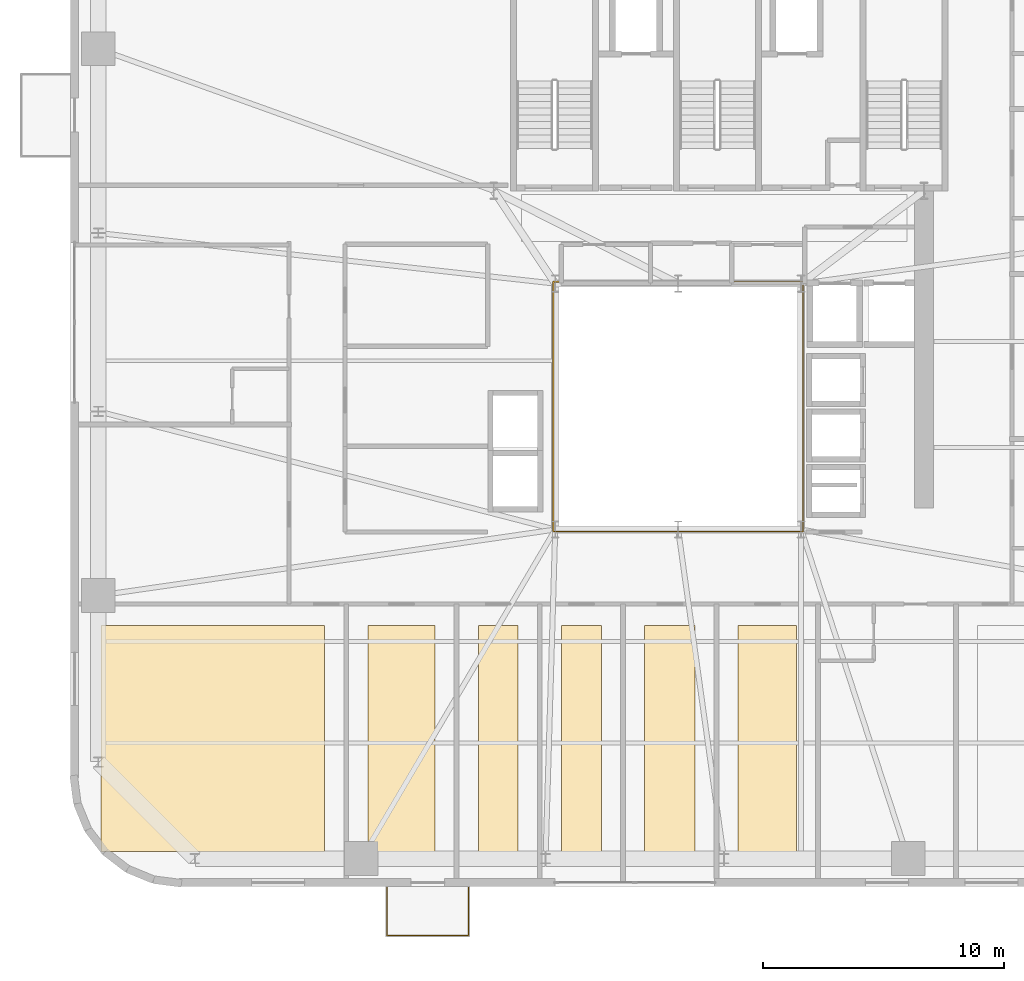
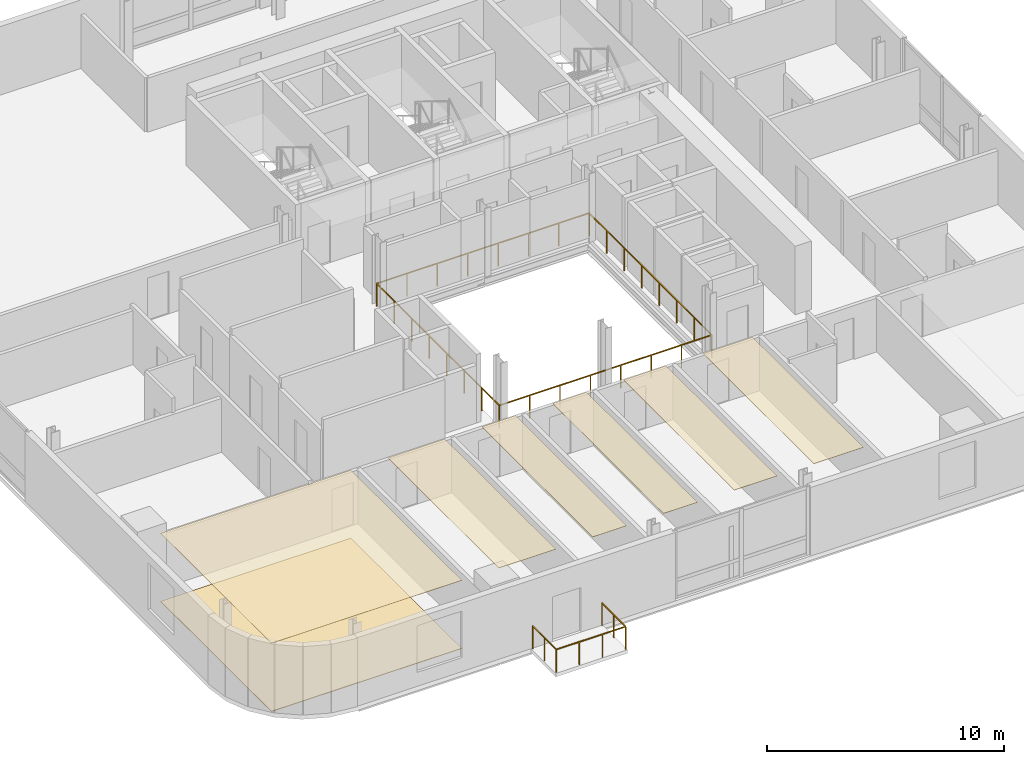
# One storey, part 12 of 16: 7 coverings, 2 railings.
"""IFC4 building model written with IfcOpenShell, lengths in metres."""

import ifcopenshell
import ifcopenshell.guid

model = None  # the IFC model being written
_history = None  # IfcOwnerHistory: only IFC2X3 demands one
_inside = {}  # id of a spatial element -> (the spatial element, [elements in it])
_under = {}  # id of a project, library or spatial element -> (it, [spatial elements below it])
_declared = {}  # id of a project -> (the project, [libraries it declares])
_typed = {}  # id of a type object -> (the type object, [elements of that type])
_made_of = {}  # id of a material, layer set ... -> (it, [elements and type objects made of it])


def new_model(schema):
    """Start an empty IFC model of exactly this schema.

    Asked for "IFC4X3", IfcOpenShell would pick the latest addendum, in which some entities
    have other attributes; the version numbers below select the first issue.
    IFC2X3 requires an IfcOwnerHistory on every rooted entity: one is made here for all.
    """
    global model, _history
    if schema == "IFC4X3":
        model = ifcopenshell.file(schema_version=(4, 3, 0, 0))
    else:
        model = ifcopenshell.file(schema=schema)
    _inside.clear()
    _under.clear()
    _declared.clear()
    _typed.clear()
    _made_of.clear()
    _history = None
    if model.schema == "IFC2X3":
        org = make("IfcOrganization", Name="unknown")
        user = make(
            "IfcPersonAndOrganization",
            ThePerson=make("IfcPerson", FamilyName="unknown"),
            TheOrganization=org,
        )
        app = make(
            "IfcApplication",
            ApplicationDeveloper=org,
            Version="unknown",
            ApplicationFullName="unknown",
            ApplicationIdentifier="unknown",
        )
        _history = make(
            "IfcOwnerHistory",
            OwningUser=user,
            OwningApplication=app,
            ChangeAction="ADDED",
            CreationDate=0,
        )
    return model


def make(cls, **values):
    """One entity of the class cls with the attributes given. An attribute that is None is left unset."""
    return model.create_entity(
        cls, **{name: value for name, value in values.items() if value is not None}
    )


def rooted(cls, **values):
    """An entity with a GlobalId (a new one), such as an element, a storey or a relation."""
    return make(cls, GlobalId=ifcopenshell.guid.new(), OwnerHistory=_history, **values)


def si_unit(unit_type, name, prefix=None):
    """IfcSIUnit, for example si_unit("LENGTHUNIT", "METRE", prefix="MILLI")."""
    return make("IfcSIUnit", UnitType=unit_type, Prefix=prefix, Name=name)


def assignment(units):
    """IfcUnitAssignment: the units of a project."""
    return None if units is None else make("IfcUnitAssignment", Units=units)


def point(xyz):
    """IfcCartesianPoint."""
    return None if xyz is None else make("IfcCartesianPoint", Coordinates=xyz)


def direction(xyz):
    """IfcDirection."""
    return None if xyz is None else make("IfcDirection", DirectionRatios=xyz)


def frame(location, z_axis=None, x_axis=None):
    """IfcAxis2Placement3D, a coordinate frame: its origin and axes. An axis left out is left unset."""
    return make(
        "IfcAxis2Placement3D",
        Location=point(location),
        Axis=direction(z_axis),
        RefDirection=direction(x_axis),
    )


def frame_2d(location, x_axis=None):
    """IfcAxis2Placement2D, a coordinate frame in the plane: its origin and x axis."""
    return make(
        "IfcAxis2Placement2D", Location=point(location), RefDirection=direction(x_axis)
    )


def origin():
    """The frame at (0, 0, 0) with its axes left unset."""
    return frame((0.0, 0.0, 0.0))


def origin_2d():
    """The frame at (0, 0) in the plane with its x axis left unset."""
    return frame_2d((0.0, 0.0))


def place(relative_to, where):
    """IfcLocalPlacement: puts the frame where relative to a parent placement (None: the world)."""
    return make(
        "IfcLocalPlacement", PlacementRelTo=relative_to, RelativePlacement=where
    )


def context(
    kind, dimensions, precision=None, world=None, true_north=None, identifier=None
):
    """IfcGeometricRepresentationContext, for example the 3D "Model" context."""
    return make(
        "IfcGeometricRepresentationContext",
        ContextIdentifier=identifier,
        ContextType=kind,
        CoordinateSpaceDimension=dimensions,
        Precision=precision,
        WorldCoordinateSystem=world,
        TrueNorth=true_north,
    )


def subcontext(parent, identifier, kind, view, scale=None):
    """IfcGeometricRepresentationSubContext, for example "Body" below "Model"."""
    return make(
        "IfcGeometricRepresentationSubContext",
        ContextIdentifier=identifier,
        ContextType=kind,
        ParentContext=parent,
        TargetScale=scale,
        TargetView=view,
    )


def project(units=None, contexts=None):
    """IfcProject with its units and contexts."""
    return rooted(
        "IfcProject",
        Name="project",
        RepresentationContexts=contexts,
        UnitsInContext=assignment(units),
    )


def spatial(cls, under=None, at=None, **own):
    """A site, building, storey or space (cls), placed at a placement, below another one or the project."""
    s = rooted(cls, ObjectPlacement=at, **own)
    if under is not None:
        _under.setdefault(under.id(), (under, []))[1].append(s)
    return s


def polyline(points):
    """IfcPolyline through the points."""
    return make("IfcPolyline", Points=[point(p) for p in points])


def profile(cls, at=None, kind="AREA", **sizes):
    """A parametric profile (cls). Its sizes go by their IFC names, for example OverallWidth=200.0."""
    return make(cls, ProfileType=kind, Position=at, **sizes)


def rectangle(**sizes):
    """IfcRectangleProfileDef."""
    return profile("IfcRectangleProfileDef", **sizes)


def outline(outer, holes=None, kind="AREA"):
    """IfcArbitraryClosedProfileDef: a profile drawn as a closed curve; with holes, ...WithVoids."""
    if holes is None:
        return make("IfcArbitraryClosedProfileDef", ProfileType=kind, OuterCurve=outer)
    return make(
        "IfcArbitraryProfileDefWithVoids",
        ProfileType=kind,
        OuterCurve=outer,
        InnerCurves=holes,
    )


def extrude(swept, where, along, depth):
    """IfcExtrudedAreaSolid: the profile swept, set in the frame where, extruded along a direction by depth."""
    return make(
        "IfcExtrudedAreaSolid",
        SweptArea=swept,
        Position=where,
        ExtrudedDirection=direction(along),
        Depth=depth,
    )


def shape(context_of_items, identifier, shape_type, items):
    """IfcShapeRepresentation: the items that make up one representation, for example the "Body"."""
    return make(
        "IfcShapeRepresentation",
        ContextOfItems=context_of_items,
        RepresentationIdentifier=identifier,
        RepresentationType=shape_type,
        Items=items,
    )


def source(mapping_origin, context_of_items, identifier, shape_type, items):
    """IfcRepresentationMap: a shape defined once, which mapped items show again and again."""
    return make(
        "IfcRepresentationMap",
        MappingOrigin=mapping_origin,
        MappedRepresentation=shape(context_of_items, identifier, shape_type, items),
    )


def transform(
    local_origin,
    x_axis=None,
    y_axis=None,
    z_axis=None,
    scale=None,
    scale2=None,
    scale3=None,
    uniform=True,
):
    """IfcCartesianTransformationOperator3D, or its non-uniform kind. x_axis, y_axis, z_axis: its Axis1, 2, 3."""
    if uniform:
        return make(
            "IfcCartesianTransformationOperator3D",
            Axis1=direction(x_axis),
            Axis2=direction(y_axis),
            LocalOrigin=point(local_origin),
            Scale=scale,
            Axis3=direction(z_axis),
        )
    return make(
        "IfcCartesianTransformationOperator3DnonUniform",
        Axis1=direction(x_axis),
        Axis2=direction(y_axis),
        LocalOrigin=point(local_origin),
        Scale=scale,
        Axis3=direction(z_axis),
        Scale2=scale2,
        Scale3=scale3,
    )


def mapped(mapping_source, mapping_target):
    """IfcMappedItem: shows the shape of a source again, moved by a transform."""
    return make(
        "IfcMappedItem", MappingSource=mapping_source, MappingTarget=mapping_target
    )


def material(Name=None, Category=None):
    """IfcMaterial."""
    return make("IfcMaterial", Name=Name, Category=Category)


def layer(
    of_material, thickness, ventilated=None, Name=None, Category=None, Priority=None
):
    """IfcMaterialLayer: one layer of a wall or slab, of a material (None: an air gap)."""
    return make(
        "IfcMaterialLayer",
        Material=of_material,
        LayerThickness=thickness,
        IsVentilated=ventilated,
        Name=Name,
        Category=Category,
        Priority=Priority,
    )


def layer_set(layers, Name=None):
    """IfcMaterialLayerSet."""
    return make("IfcMaterialLayerSet", MaterialLayers=layers, LayerSetName=Name)


def made_of(thing, what):
    """Note that an element or type object is made of a material, layer set ...; save() writes the relation."""
    if what is not None:
        _made_of.setdefault(what.id(), (what, []))[1].append(thing)
    return thing


def type_object(cls, material=None, **own):
    """A type object (cls), such as IfcWallType, which elements share."""
    return made_of(rooted(cls, **own), material)


def element(
    cls,
    number,
    at=None,
    inside=None,
    cuts=None,
    type_object=None,
    material=None,
    context=None,
    identifier="Body",
    shape_type=None,
    held_by="IfcProductDefinitionShape",
    body=None,
    shapes=None,
    **own,
):
    """One element of the class cls, such as IfcWall. Its Tag is "e" and its number.

    at: its placement. inside: the storey or other place that contains it. cuts: it is an
    opening in that element (IfcRelVoidsElement). A single representation is given by context,
    identifier, shape_type and body (its items); several are given by shapes. held_by: the class
    of the entity that holds the representations. save() writes the other relations.
    """
    e = rooted(cls, Tag="e%d" % number, ObjectPlacement=at, **own)
    if body is not None:
        shapes = [shape(context, identifier, shape_type, body)]
    if shapes is not None:
        e.Representation = make(held_by, Representations=shapes)
    if inside is not None:
        _inside.setdefault(inside.id(), (inside, []))[1].append(e)
    if cuts is not None:
        rooted(
            "IfcRelVoidsElement", RelatingBuildingElement=cuts, RelatedOpeningElement=e
        )
    if type_object is not None:
        _typed.setdefault(type_object.id(), (type_object, []))[1].append(e)
    return made_of(e, material)


def aggregate(whole, parts):
    """IfcRelAggregates: a whole, such as a stair, and the parts it consists of."""
    return rooted("IfcRelAggregates", RelatingObject=whole, RelatedObjects=parts)


def save(model, path):
    """Write the relations noted so far, then the file.

    IfcRelAggregates (storeys below a building ...), IfcRelContainedInSpatialStructure (elements
    in a storey), IfcRelDefinesByType, IfcRelAssociatesMaterial and IfcRelDeclares: one each for
    every whole, place, type object, material and project.
    """
    for whole, parts in _under.values():
        aggregate(whole, parts)
    for where, things in _inside.values():
        rooted(
            "IfcRelContainedInSpatialStructure",
            RelatedElements=things,
            RelatingStructure=where,
        )
    for kind, things in _typed.values():
        rooted("IfcRelDefinesByType", RelatedObjects=things, RelatingType=kind)
    for what, things in _made_of.values():
        rooted("IfcRelAssociatesMaterial", RelatedObjects=things, RelatingMaterial=what)
    for by, libraries in _declared.values():
        rooted("IfcRelDeclares", RelatingContext=by, RelatedDefinitions=libraries)
    model.write(path)


model = new_model("IFC4")

# Units and contexts
model_context = context("Model", 3, precision=1e-05, world=origin(), true_north=direction((0.0, 1.0)))
body_context = subcontext(model_context, "Body", "Model", "MODEL_VIEW")
ifc_project = project(units=[si_unit("LENGTHUNIT", "METRE"), si_unit("AREAUNIT", "SQUARE_METRE"), si_unit("VOLUMEUNIT", "CUBIC_METRE"), si_unit("PLANEANGLEUNIT", "RADIAN"), si_unit("MASSUNIT", "GRAM", prefix="KILO")], contexts=[model_context])

# Site, building, storey
site_placement = place(None, origin())
site = spatial("IfcSite", under=ifc_project, at=site_placement, CompositionType="ELEMENT")
building_placement = place(site_placement, origin())
building = spatial("IfcBuilding", under=site, at=building_placement, Name="Vardaveli Station Tower", CompositionType="ELEMENT")
storey_placement = place(building_placement, frame((0.0, 0.0, 184.800048828125)))
storey = spatial("IfcBuildingStorey", under=building, at=storey_placement, Name="L47", CompositionType="ELEMENT", Elevation=184.800048828125)

# Coverings
ifc_material_1 = material(Name="Perforated acoustic mineral ceiling")
ifc_layer_1 = layer(ifc_material_1, 0.02001953125, Name="Perforated acoustic mineral ceiling")
ifc_layer_set_1 = layer_set([ifc_layer_1], Name="Perforated acoustic mineral ceiling")
covering_type_1 = type_object("IfcCoveringType", Name="COV-CEIL-AC20", PredefinedType="CEILING", material=ifc_layer_set_1)
covering_1_placement = place(storey_placement, frame((0.0, 0.0, 3.514892578125)))
element("IfcCovering", 1, at=covering_1_placement, inside=storey, type_object=covering_type_1, Name="CEIL-L47-1", PredefinedType="CEILING", context=body_context, shape_type="SweptSolid", body=[
    extrude(outline(polyline([(12.35009765625, 3.25), (21.6298828125, 3.25), (21.6298828125, 12.610107421875), (12.35009765625, 12.610107421875), (12.35009765625, 3.25)])), origin(), (0.0, 0.0, 1.0), 0.02001953125),
])
covering_2_placement = place(storey_placement, frame((0.0, 0.0, 3.514892578125)))
element("IfcCovering", 2, at=covering_2_placement, inside=storey, type_object=covering_type_1, Name="CEIL-L47-2", PredefinedType="CEILING", context=body_context, shape_type="SweptSolid", body=[
    extrude(outline(polyline([(23.429931640625, 3.25), (26.21044921875, 3.25), (26.21044921875, 12.610107421875), (23.429931640625, 12.610107421875), (23.429931640625, 3.25)])), origin(), (0.0, 0.0, 1.0), 0.02001953125),
])
covering_3_placement = place(storey_placement, frame((0.0, 0.0, 3.514892578125)))
element("IfcCovering", 3, at=covering_3_placement, inside=storey, type_object=covering_type_1, Name="CEIL-L47-3", PredefinedType="CEILING", context=body_context, shape_type="SweptSolid", body=[
    extrude(outline(polyline([(28.010498046875, 3.25), (29.660400390625, 3.25), (29.660400390625, 12.610107421875), (28.010498046875, 12.610107421875), (28.010498046875, 3.25)])), origin(), (0.0, 0.0, 1.0), 0.02001953125),
])
covering_4_placement = place(storey_placement, frame((0.0, 0.0, 3.514892578125)))
element("IfcCovering", 4, at=covering_4_placement, inside=storey, type_object=covering_type_1, Name="CEIL-L47-4", PredefinedType="CEILING", context=body_context, shape_type="SweptSolid", body=[
    extrude(outline(polyline([(31.46044921875, 3.25), (33.1103515625, 3.25), (33.1103515625, 12.610107421875), (31.46044921875, 12.610107421875), (31.46044921875, 3.25)])), origin(), (0.0, 0.0, 1.0), 0.02001953125),
])
covering_5_placement = place(storey_placement, frame((0.0, 0.0, 3.514892578125)))
element("IfcCovering", 5, at=covering_5_placement, inside=storey, type_object=covering_type_1, Name="CEIL-L47-5", PredefinedType="CEILING", context=body_context, shape_type="SweptSolid", body=[
    extrude(outline(polyline([(34.910400390625, 3.25), (36.989990234375, 3.25), (36.989990234375, 12.610107421875), (34.910400390625, 12.610107421875), (34.910400390625, 3.25)])), origin(), (0.0, 0.0, 1.0), 0.02001953125),
])
covering_6_placement = place(storey_placement, frame((0.0, 0.0, 3.514892578125)))
element("IfcCovering", 6, at=covering_6_placement, inside=storey, type_object=covering_type_1, Name="CEIL-L47-6", PredefinedType="CEILING", context=body_context, shape_type="SweptSolid", body=[
    extrude(outline(polyline([(38.7900390625, 3.25), (41.205078125, 3.25), (41.205078125, 12.610107421875), (38.7900390625, 12.610107421875), (38.7900390625, 3.25)])), origin(), (0.0, 0.0, 1.0), 0.02001953125),
])
ifc_material_2 = material(Name="Honed Caucasian basalt and travertine flooring", Category="masonry")
ifc_layer_2 = layer(ifc_material_2, 0.030029296875, Name="Honed Caucasian basalt and travertine flooring")
ifc_layer_set_2 = layer_set([ifc_layer_2], Name="Honed Caucasian basalt and travertine flooring")
covering_type_2 = type_object("IfcCoveringType", Name="COV-FLOOR-ST30", PredefinedType="FLOORING", material=ifc_layer_set_2)
covering_7_placement = place(storey_placement, origin())
element("IfcCovering", 7, at=covering_7_placement, inside=storey, type_object=covering_type_2, Name="FLR-L47-1", PredefinedType="FLOORING", context=body_context, shape_type="SweptSolid", body=[
    extrude(outline(polyline([(12.35009765625, 3.25), (21.6298828125, 3.25), (21.6298828125, 12.610107421875), (12.35009765625, 12.610107421875), (12.35009765625, 3.25)])), origin(), (0.0, 0.0, 1.0), 0.030029296875),
])

# Railings
ifc_material_3 = material(Name="Laminated glass and stainless steel balustrade", Category="steel")
railing_type = type_object("IfcRailingType", Name="RL-BAL-1200", PredefinedType="BALUSTRADE", material=ifc_material_3)
shared_shape_1 = source(origin(), body_context, "Body", "SweptSolid", [
    extrude(rectangle(XDim=0.048095703125, YDim=0.048095703125, at=origin_2d()), frame((0.0, 0.0, 1.17578125), z_axis=(0.0, -1.0, 0.0), x_axis=(1.0, 0.0, 0.0)), (0.0, 0.0, 1.0), 2.0),
    extrude(rectangle(XDim=0.048095703125, YDim=0.048095703125, at=origin_2d()), frame((0.0, -2.0, 1.17578125), z_axis=(1.0, 0.0, 0.0), x_axis=(0.0, 1.0, 0.0)), (0.0, 0.0, 1.0), 3.3798828125),
    extrude(rectangle(XDim=0.048095703125, YDim=0.048095703125, at=origin_2d()), frame((3.3798828125, -2.0, 1.17578125), z_axis=(0.0, 1.0, 0.0), x_axis=(-1.0, 0.0, 0.0)), (0.0, 0.0, 1.0), 2.0),
    extrude(rectangle(XDim=0.0419921875, YDim=0.0419921875, at=origin_2d()), origin(), (0.0, 0.0, 1.0), 1.15185546875),
    extrude(rectangle(XDim=0.0419921875, YDim=0.0419921875, at=origin_2d()), frame((0.0, -1.0, 0.0)), (0.0, 0.0, 1.0), 1.15185546875),
    extrude(rectangle(XDim=0.0419921875, YDim=0.0419921875, at=origin_2d()), frame((0.0, -2.0, 0.0)), (0.0, 0.0, 1.0), 1.15185546875),
    extrude(rectangle(XDim=0.0419921875, YDim=0.0419921875, at=origin_2d()), frame((1.126708984375, -2.0, 0.0)), (0.0, 0.0, 1.0), 1.15185546875),
    extrude(rectangle(XDim=0.0419921875, YDim=0.0419921875, at=origin_2d()), frame((2.253173828125, -2.0, 0.0)), (0.0, 0.0, 1.0), 1.15185546875),
    extrude(rectangle(XDim=0.0419921875, YDim=0.0419921875, at=origin_2d()), frame((3.3798828125, -2.0, 0.0)), (0.0, 0.0, 1.0), 1.15185546875),
    extrude(rectangle(XDim=0.0419921875, YDim=0.0419921875, at=origin_2d()), frame((3.3798828125, -1.0, 0.0)), (0.0, 0.0, 1.0), 1.15185546875),
    extrude(rectangle(XDim=0.0419921875, YDim=0.0419921875, at=origin_2d()), frame((3.3798828125, 0.0, 0.0)), (0.0, 0.0, 1.0), 1.15185546875),
])
railing_1_placement = place(storey_placement, frame((24.220458984375, 1.760009765625, 0.0)))
element("IfcRailing", 8, at=railing_1_placement, inside=storey, type_object=railing_type, Name="RL-LOG-L47-01", PredefinedType="BALUSTRADE", context=body_context, shape_type="MappedRepresentation", body=[
    mapped(shared_shape_1, transform((0.0, 0.0, 0.0), scale=1.0)),
])
shared_shape_2 = source(origin(), body_context, "Body", "SweptSolid", [
    extrude(rectangle(XDim=0.048095703125, YDim=0.048095703125, at=origin_2d()), frame((0.0, 0.0, 1.17578125), z_axis=(1.0, 0.0, 0.0), x_axis=(0.0, 1.0, 0.0)), (0.0, 0.0, 1.0), 10.35986328125),
    extrude(rectangle(XDim=0.048095703125, YDim=0.048095703125, at=origin_2d()), frame((10.35986328125, 0.0, 1.17578125), z_axis=(0.0, 1.0, 0.0), x_axis=(-1.0, 0.0, 0.0)), (0.0, 0.0, 1.0), 10.35986328125),
    extrude(rectangle(XDim=0.048095703125, YDim=0.048095703125, at=origin_2d()), frame((10.35986328125, 10.35986328125, 1.17578125), z_axis=(-1.0, 0.0, 0.0), x_axis=(0.0, -1.0, 0.0)), (0.0, 0.0, 1.0), 10.35986328125),
    extrude(rectangle(XDim=0.048095703125, YDim=0.048095703125, at=origin_2d()), frame((0.0, 10.35986328125, 1.17578125), z_axis=(0.0, -1.0, 0.0), x_axis=(1.0, 0.0, 0.0)), (0.0, 0.0, 1.0), 10.35986328125),
    extrude(rectangle(XDim=0.0419921875, YDim=0.0419921875, at=origin_2d()), origin(), (0.0, 0.0, 1.0), 1.15185546875),
    extrude(rectangle(XDim=0.0419921875, YDim=0.0419921875, at=origin_2d()), frame((1.47998046875, 0.0, 0.0)), (0.0, 0.0, 1.0), 1.15185546875),
    extrude(rectangle(XDim=0.0419921875, YDim=0.0419921875, at=origin_2d()), frame((2.9599609375, 0.0, 0.0)), (0.0, 0.0, 1.0), 1.15185546875),
    extrude(rectangle(XDim=0.0419921875, YDim=0.0419921875, at=origin_2d()), frame((4.43994140625, 0.0, 0.0)), (0.0, 0.0, 1.0), 1.15185546875),
    extrude(rectangle(XDim=0.0419921875, YDim=0.0419921875, at=origin_2d()), frame((5.919921875, 0.0, 0.0)), (0.0, 0.0, 1.0), 1.15185546875),
    extrude(rectangle(XDim=0.0419921875, YDim=0.0419921875, at=origin_2d()), frame((7.39990234375, 0.0, 0.0)), (0.0, 0.0, 1.0), 1.15185546875),
    extrude(rectangle(XDim=0.0419921875, YDim=0.0419921875, at=origin_2d()), frame((8.8798828125, 0.0, 0.0)), (0.0, 0.0, 1.0), 1.15185546875),
    extrude(rectangle(XDim=0.0419921875, YDim=0.0419921875, at=origin_2d()), frame((10.35986328125, 0.0, 0.0)), (0.0, 0.0, 1.0), 1.15185546875),
    extrude(rectangle(XDim=0.0419921875, YDim=0.0419921875, at=origin_2d()), frame((10.35986328125, 1.47998046875, 0.0)), (0.0, 0.0, 1.0), 1.15185546875),
    extrude(rectangle(XDim=0.0419921875, YDim=0.0419921875, at=origin_2d()), frame((10.35986328125, 2.9599609375, 0.0)), (0.0, 0.0, 1.0), 1.15185546875),
    extrude(rectangle(XDim=0.0419921875, YDim=0.0419921875, at=origin_2d()), frame((10.35986328125, 4.43994140625, 0.0)), (0.0, 0.0, 1.0), 1.15185546875),
    extrude(rectangle(XDim=0.0419921875, YDim=0.0419921875, at=origin_2d()), frame((10.35986328125, 5.919921875, 0.0)), (0.0, 0.0, 1.0), 1.15185546875),
    extrude(rectangle(XDim=0.0419921875, YDim=0.0419921875, at=origin_2d()), frame((10.35986328125, 7.39990234375, 0.0)), (0.0, 0.0, 1.0), 1.15185546875),
    extrude(rectangle(XDim=0.0419921875, YDim=0.0419921875, at=origin_2d()), frame((10.35986328125, 8.8798828125, 0.0)), (0.0, 0.0, 1.0), 1.15185546875),
    extrude(rectangle(XDim=0.0419921875, YDim=0.0419921875, at=origin_2d()), frame((10.35986328125, 10.35986328125, 0.0)), (0.0, 0.0, 1.0), 1.15185546875),
    extrude(rectangle(XDim=0.0419921875, YDim=0.0419921875, at=origin_2d()), frame((8.8798828125, 10.35986328125, 0.0)), (0.0, 0.0, 1.0), 1.15185546875),
    extrude(rectangle(XDim=0.0419921875, YDim=0.0419921875, at=origin_2d()), frame((7.39990234375, 10.35986328125, 0.0)), (0.0, 0.0, 1.0), 1.15185546875),
    extrude(rectangle(XDim=0.0419921875, YDim=0.0419921875, at=origin_2d()), frame((5.919921875, 10.35986328125, 0.0)), (0.0, 0.0, 1.0), 1.15185546875),
    extrude(rectangle(XDim=0.0419921875, YDim=0.0419921875, at=origin_2d()), frame((4.43994140625, 10.35986328125, 0.0)), (0.0, 0.0, 1.0), 1.15185546875),
    extrude(rectangle(XDim=0.0419921875, YDim=0.0419921875, at=origin_2d()), frame((2.9599609375, 10.35986328125, 0.0)), (0.0, 0.0, 1.0), 1.15185546875),
    extrude(rectangle(XDim=0.0419921875, YDim=0.0419921875, at=origin_2d()), frame((1.47998046875, 10.35986328125, 0.0)), (0.0, 0.0, 1.0), 1.15185546875),
    extrude(rectangle(XDim=0.0419921875, YDim=0.0419921875, at=origin_2d()), frame((0.0, 10.35986328125, 0.0)), (0.0, 0.0, 1.0), 1.15185546875),
    extrude(rectangle(XDim=0.0419921875, YDim=0.0419921875, at=origin_2d()), frame((0.0, 8.8798828125, 0.0)), (0.0, 0.0, 1.0), 1.15185546875),
    extrude(rectangle(XDim=0.0419921875, YDim=0.0419921875, at=origin_2d()), frame((0.0, 7.39990234375, 0.0)), (0.0, 0.0, 1.0), 1.15185546875),
    extrude(rectangle(XDim=0.0419921875, YDim=0.0419921875, at=origin_2d()), frame((0.0, 5.919921875, 0.0)), (0.0, 0.0, 1.0), 1.15185546875),
    extrude(rectangle(XDim=0.0419921875, YDim=0.0419921875, at=origin_2d()), frame((0.0, 4.43994140625, 0.0)), (0.0, 0.0, 1.0), 1.15185546875),
    extrude(rectangle(XDim=0.0419921875, YDim=0.0419921875, at=origin_2d()), frame((0.0, 2.9599609375, 0.0)), (0.0, 0.0, 1.0), 1.15185546875),
    extrude(rectangle(XDim=0.0419921875, YDim=0.0419921875, at=origin_2d()), frame((0.0, 1.47998046875, 0.0)), (0.0, 0.0, 1.0), 1.15185546875),
])
railing_2_placement = place(storey_placement, frame((31.1201171875, 16.52001953125, 0.0)))
element("IfcRailing", 9, at=railing_2_placement, inside=storey, type_object=railing_type, Name="RL-ATR-L47", PredefinedType="BALUSTRADE", context=body_context, shape_type="MappedRepresentation", body=[
    mapped(shared_shape_2, transform((0.0, 0.0, 0.0), scale=1.0)),
])

save(model, "model.ifc")
